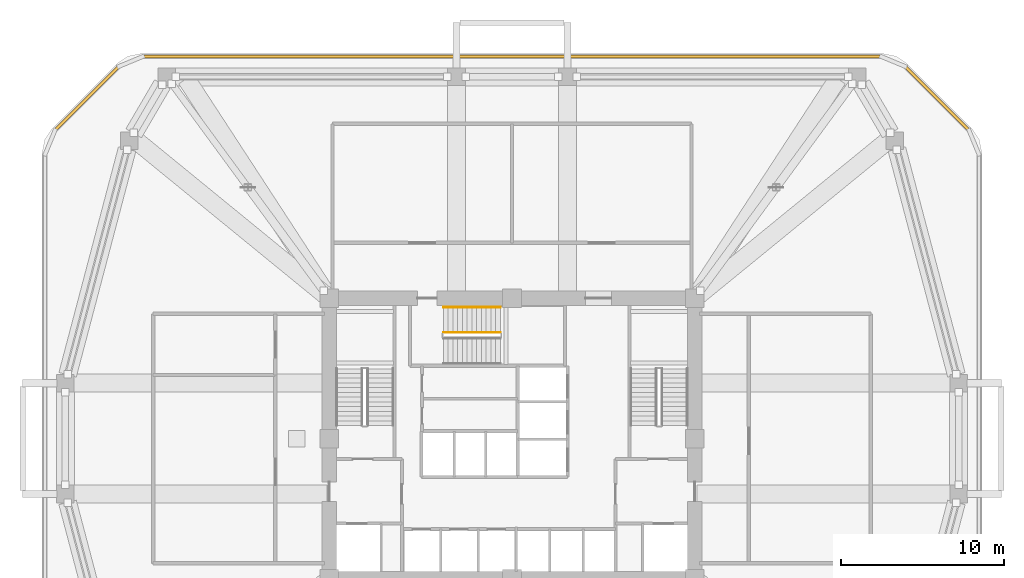
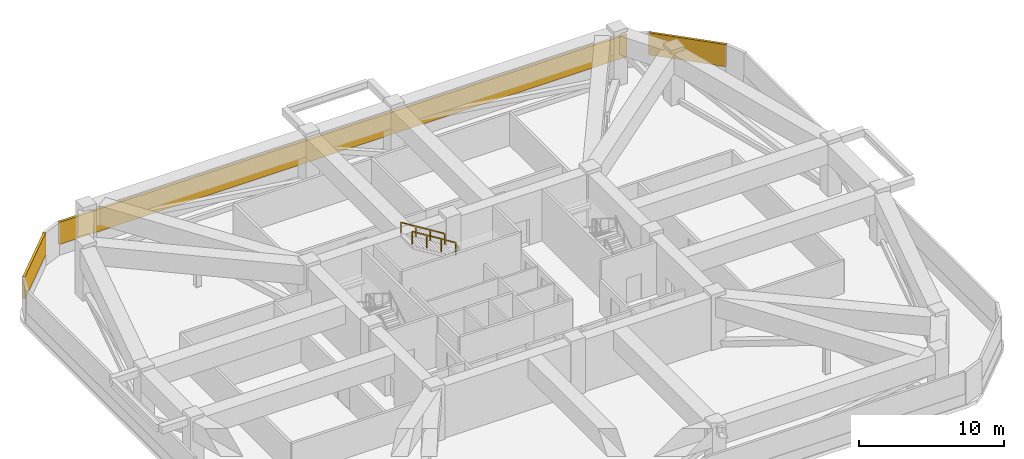
# One storey, part 10 of 10: 3 shading devices, 2 railings.
"""IFC4 building model written with IfcOpenShell, lengths in metres."""

import ifcopenshell
import ifcopenshell.guid

model = None  # the IFC model being written
_history = None  # IfcOwnerHistory: only IFC2X3 demands one
_inside = {}  # id of a spatial element -> (the spatial element, [elements in it])
_under = {}  # id of a project, library or spatial element -> (it, [spatial elements below it])
_declared = {}  # id of a project -> (the project, [libraries it declares])
_typed = {}  # id of a type object -> (the type object, [elements of that type])
_made_of = {}  # id of a material, layer set ... -> (it, [elements and type objects made of it])


def new_model(schema):
    """Start an empty IFC model of exactly this schema.

    Asked for "IFC4X3", IfcOpenShell would pick the latest addendum, in which some entities
    have other attributes; the version numbers below select the first issue.
    IFC2X3 requires an IfcOwnerHistory on every rooted entity: one is made here for all.
    """
    global model, _history
    if schema == "IFC4X3":
        model = ifcopenshell.file(schema_version=(4, 3, 0, 0))
    else:
        model = ifcopenshell.file(schema=schema)
    _inside.clear()
    _under.clear()
    _declared.clear()
    _typed.clear()
    _made_of.clear()
    _history = None
    if model.schema == "IFC2X3":
        org = make("IfcOrganization", Name="unknown")
        user = make(
            "IfcPersonAndOrganization",
            ThePerson=make("IfcPerson", FamilyName="unknown"),
            TheOrganization=org,
        )
        app = make(
            "IfcApplication",
            ApplicationDeveloper=org,
            Version="unknown",
            ApplicationFullName="unknown",
            ApplicationIdentifier="unknown",
        )
        _history = make(
            "IfcOwnerHistory",
            OwningUser=user,
            OwningApplication=app,
            ChangeAction="ADDED",
            CreationDate=0,
        )
    return model


def make(cls, **values):
    """One entity of the class cls with the attributes given. An attribute that is None is left unset."""
    return model.create_entity(
        cls, **{name: value for name, value in values.items() if value is not None}
    )


def rooted(cls, **values):
    """An entity with a GlobalId (a new one), such as an element, a storey or a relation."""
    return make(cls, GlobalId=ifcopenshell.guid.new(), OwnerHistory=_history, **values)


def si_unit(unit_type, name, prefix=None):
    """IfcSIUnit, for example si_unit("LENGTHUNIT", "METRE", prefix="MILLI")."""
    return make("IfcSIUnit", UnitType=unit_type, Prefix=prefix, Name=name)


def derived_unit(unit_type, elements):
    """IfcDerivedUnit: a product of units, each with its exponent."""
    return make(
        "IfcDerivedUnit",
        Elements=[
            make("IfcDerivedUnitElement", Unit=unit, Exponent=power)
            for unit, power in elements
        ],
        UnitType=unit_type,
    )


def assignment(units):
    """IfcUnitAssignment: the units of a project."""
    return None if units is None else make("IfcUnitAssignment", Units=units)


def point(xyz):
    """IfcCartesianPoint."""
    return None if xyz is None else make("IfcCartesianPoint", Coordinates=xyz)


def direction(xyz):
    """IfcDirection."""
    return None if xyz is None else make("IfcDirection", DirectionRatios=xyz)


def frame(location, z_axis=None, x_axis=None):
    """IfcAxis2Placement3D, a coordinate frame: its origin and axes. An axis left out is left unset."""
    return make(
        "IfcAxis2Placement3D",
        Location=point(location),
        Axis=direction(z_axis),
        RefDirection=direction(x_axis),
    )


def frame_2d(location, x_axis=None):
    """IfcAxis2Placement2D, a coordinate frame in the plane: its origin and x axis."""
    return make(
        "IfcAxis2Placement2D", Location=point(location), RefDirection=direction(x_axis)
    )


def origin():
    """The frame at (0, 0, 0) with its axes left unset."""
    return frame((0.0, 0.0, 0.0))


def origin_2d():
    """The frame at (0, 0) in the plane with its x axis left unset."""
    return frame_2d((0.0, 0.0))


def place(relative_to, where):
    """IfcLocalPlacement: puts the frame where relative to a parent placement (None: the world)."""
    return make(
        "IfcLocalPlacement", PlacementRelTo=relative_to, RelativePlacement=where
    )


def context(
    kind, dimensions, precision=None, world=None, true_north=None, identifier=None
):
    """IfcGeometricRepresentationContext, for example the 3D "Model" context."""
    return make(
        "IfcGeometricRepresentationContext",
        ContextIdentifier=identifier,
        ContextType=kind,
        CoordinateSpaceDimension=dimensions,
        Precision=precision,
        WorldCoordinateSystem=world,
        TrueNorth=true_north,
    )


def subcontext(parent, identifier, kind, view, scale=None):
    """IfcGeometricRepresentationSubContext, for example "Body" below "Model"."""
    return make(
        "IfcGeometricRepresentationSubContext",
        ContextIdentifier=identifier,
        ContextType=kind,
        ParentContext=parent,
        TargetScale=scale,
        TargetView=view,
    )


def project(units=None, contexts=None):
    """IfcProject with its units and contexts."""
    return rooted(
        "IfcProject",
        Name="project",
        RepresentationContexts=contexts,
        UnitsInContext=assignment(units),
    )


def spatial(cls, under=None, at=None, **own):
    """A site, building, storey or space (cls), placed at a placement, below another one or the project."""
    s = rooted(cls, ObjectPlacement=at, **own)
    if under is not None:
        _under.setdefault(under.id(), (under, []))[1].append(s)
    return s


def profile(cls, at=None, kind="AREA", **sizes):
    """A parametric profile (cls). Its sizes go by their IFC names, for example OverallWidth=200.0."""
    return make(cls, ProfileType=kind, Position=at, **sizes)


def rectangle(**sizes):
    """IfcRectangleProfileDef."""
    return profile("IfcRectangleProfileDef", **sizes)


def extrude(swept, where, along, depth):
    """IfcExtrudedAreaSolid: the profile swept, set in the frame where, extruded along a direction by depth."""
    return make(
        "IfcExtrudedAreaSolid",
        SweptArea=swept,
        Position=where,
        ExtrudedDirection=direction(along),
        Depth=depth,
    )


def shape(context_of_items, identifier, shape_type, items):
    """IfcShapeRepresentation: the items that make up one representation, for example the "Body"."""
    return make(
        "IfcShapeRepresentation",
        ContextOfItems=context_of_items,
        RepresentationIdentifier=identifier,
        RepresentationType=shape_type,
        Items=items,
    )


def material(Name=None, Category=None):
    """IfcMaterial."""
    return make("IfcMaterial", Name=Name, Category=Category)


def layer(
    of_material, thickness, ventilated=None, Name=None, Category=None, Priority=None
):
    """IfcMaterialLayer: one layer of a wall or slab, of a material (None: an air gap)."""
    return make(
        "IfcMaterialLayer",
        Material=of_material,
        LayerThickness=thickness,
        IsVentilated=ventilated,
        Name=Name,
        Category=Category,
        Priority=Priority,
    )


def layer_set(layers, Name=None):
    """IfcMaterialLayerSet."""
    return make("IfcMaterialLayerSet", MaterialLayers=layers, LayerSetName=Name)


def made_of(thing, what):
    """Note that an element or type object is made of a material, layer set ...; save() writes the relation."""
    if what is not None:
        _made_of.setdefault(what.id(), (what, []))[1].append(thing)
    return thing


def type_object(cls, material=None, **own):
    """A type object (cls), such as IfcWallType, which elements share."""
    return made_of(rooted(cls, **own), material)


def element(
    cls,
    number,
    at=None,
    inside=None,
    cuts=None,
    type_object=None,
    material=None,
    context=None,
    identifier="Body",
    shape_type=None,
    held_by="IfcProductDefinitionShape",
    body=None,
    shapes=None,
    **own,
):
    """One element of the class cls, such as IfcWall. Its Tag is "e" and its number.

    at: its placement. inside: the storey or other place that contains it. cuts: it is an
    opening in that element (IfcRelVoidsElement). A single representation is given by context,
    identifier, shape_type and body (its items); several are given by shapes. held_by: the class
    of the entity that holds the representations. save() writes the other relations.
    """
    e = rooted(cls, Tag="e%d" % number, ObjectPlacement=at, **own)
    if body is not None:
        shapes = [shape(context, identifier, shape_type, body)]
    if shapes is not None:
        e.Representation = make(held_by, Representations=shapes)
    if inside is not None:
        _inside.setdefault(inside.id(), (inside, []))[1].append(e)
    if cuts is not None:
        rooted(
            "IfcRelVoidsElement", RelatingBuildingElement=cuts, RelatedOpeningElement=e
        )
    if type_object is not None:
        _typed.setdefault(type_object.id(), (type_object, []))[1].append(e)
    return made_of(e, material)


def aggregate(whole, parts):
    """IfcRelAggregates: a whole, such as a stair, and the parts it consists of."""
    return rooted("IfcRelAggregates", RelatingObject=whole, RelatedObjects=parts)


def save(model, path):
    """Write the relations noted so far, then the file.

    IfcRelAggregates (storeys below a building ...), IfcRelContainedInSpatialStructure (elements
    in a storey), IfcRelDefinesByType, IfcRelAssociatesMaterial and IfcRelDeclares: one each for
    every whole, place, type object, material and project.
    """
    for whole, parts in _under.values():
        aggregate(whole, parts)
    for where, things in _inside.values():
        rooted(
            "IfcRelContainedInSpatialStructure",
            RelatedElements=things,
            RelatingStructure=where,
        )
    for kind, things in _typed.values():
        rooted("IfcRelDefinesByType", RelatedObjects=things, RelatingType=kind)
    for what, things in _made_of.values():
        rooted("IfcRelAssociatesMaterial", RelatedObjects=things, RelatingMaterial=what)
    for by, libraries in _declared.values():
        rooted("IfcRelDeclares", RelatingContext=by, RelatedDefinitions=libraries)
    model.write(path)


model = new_model("IFC4")

# Units and contexts
model_context = context("Model", 3, precision=1e-05, world=origin(), true_north=direction((0.0, 1.0)))
body_context = subcontext(model_context, "Body", "Model", "MODEL_VIEW")
ifc_project = project(units=[si_unit("LENGTHUNIT", "METRE"), si_unit("AREAUNIT", "SQUARE_METRE"), si_unit("VOLUMEUNIT", "CUBIC_METRE"), si_unit("PLANEANGLEUNIT", "RADIAN"), si_unit("MASSUNIT", "GRAM", prefix="KILO"), derived_unit("THERMALTRANSMITTANCEUNIT", [(si_unit("POWERUNIT", "WATT"), 1), (si_unit("LENGTHUNIT", "METRE"), -2), (si_unit("THERMODYNAMICTEMPERATUREUNIT", "KELVIN"), -1)])], contexts=[model_context])

# Site, building, storey
site_placement = place(None, origin())
site = spatial("IfcSite", under=ifc_project, at=site_placement, CompositionType="ELEMENT")
building_placement = place(site_placement, origin())
building = spatial("IfcBuilding", under=site, at=building_placement, Name="Koralith Skygarden Medical Center", CompositionType="ELEMENT")
storey_placement = place(building_placement, frame((0.0, 0.0, 70.739990234375)))
storey = spatial("IfcBuildingStorey", under=building, at=storey_placement, Name="L18", CompositionType="ELEMENT", Elevation=70.739990234375)

# Shading devices
ifc_material_1 = material(Name="Aluminium 6063-T6", Category="aluminium")
ifc_layer = layer(ifc_material_1, 0.179931640625)
ifc_layer_set = layer_set([ifc_layer], Name="Aluminium 6063-T6")
shading_device_type = type_object("IfcShadingDeviceType", Name="Mechanical Plant Acoustic Hurricane Louvre", PredefinedType="JALOUSIE", material=ifc_layer_set)
shading_device_1_placement = place(storey_placement, frame((63.05810546875, 46.758056640625, 0.89990234375), z_axis=(0.0, 0.0, 1.0), x_axis=(-0.707106781187, 0.707106781187, 0.0)))
element("IfcShadingDevice", 1, at=shading_device_1_placement, inside=storey, type_object=shading_device_type, Name="L18 Plant Acoustic Hurricane Louvre NE", PredefinedType="JALOUSIE", context=body_context, shape_type="SweptSolid", body=[
    extrude(rectangle(XDim=5.548095703125, YDim=0.179931640625, at=origin_2d()), origin(), (0.0, 0.0, 1.0), 1.8701171875),
])
shading_device_2_placement = place(storey_placement, frame((37.0, 49.320068359375, 0.89990234375), z_axis=(0.0, 0.0, 1.0), x_axis=(-1.0, 0.0, 0.0)))
element("IfcShadingDevice", 2, at=shading_device_2_placement, inside=storey, type_object=shading_device_type, Name="L18 Plant Acoustic Hurricane Louvre N", PredefinedType="JALOUSIE", context=body_context, shape_type="SweptSolid", body=[
    extrude(rectangle(XDim=45.2890625, YDim=0.179931640625, at=origin_2d()), origin(), (0.0, 0.0, 1.0), 1.8701171875),
])
shading_device_3_placement = place(storey_placement, frame((10.94189453125, 46.758056640625, 0.89990234375), z_axis=(0.0, 0.0, 1.0), x_axis=(-0.707106781187, -0.707106781187, 0.0)))
element("IfcShadingDevice", 3, at=shading_device_3_placement, inside=storey, type_object=shading_device_type, Name="L18 Plant Acoustic Hurricane Louvre NW", PredefinedType="JALOUSIE", context=body_context, shape_type="SweptSolid", body=[
    extrude(rectangle(XDim=5.548095703125, YDim=0.179931640625, at=origin_2d()), origin(), (0.0, 0.0, 1.0), 1.8701171875),
])

# Railings
ifc_material_2 = material(Name="Steel ASTM A500 Grade C", Category="steel")
railing_type_1 = type_object("IfcRailingType", Name="Stair Flight Tubular Handrail 920", PredefinedType="HANDRAIL", material=ifc_material_2)
railing_1_placement = place(storey_placement, frame((36.280029296875, 33.949951171875, 2.52001953125)))
element("IfcRailing", 4, at=railing_1_placement, inside=storey, type_object=railing_type_1, Name="L18 ST3 stair handrail 2", PredefinedType="HANDRAIL", context=body_context, shape_type="SweptSolid", body=[
    extrude(rectangle(XDim=0.050048828125, YDim=0.050048828125, at=origin_2d()), frame((-0.001708984375, 0.0, 0.89599609375), z_axis=(-0.849648454892, 0.0, 0.527349507537), x_axis=(0.0, -1.0, 0.0)), (0.0, 0.0, 1.0), 4.091796875),
    extrude(rectangle(XDim=0.0419921875, YDim=0.0419921875, at=origin_2d()), origin(), (0.0, 0.0, 1.0), 0.867919921875),
    extrude(rectangle(XDim=0.0419921875, YDim=0.0419921875, at=origin_2d()), frame((-1.159912109375, 0.0, 0.719970703125)), (0.0, 0.0, 1.0), 0.867919921875),
    extrude(rectangle(XDim=0.0419921875, YDim=0.0419921875, at=origin_2d()), frame((-2.320068359375, 0.0, 1.43994140625)), (0.0, 0.0, 1.0), 0.867919921875),
    extrude(rectangle(XDim=0.0419921875, YDim=0.0419921875, at=origin_2d()), frame((-3.47998046875, 0.0, 2.159912109375)), (0.0, 0.0, 1.0), 0.867919921875),
])
railing_type_2 = type_object("IfcRailingType", Name="Stair Well Safety Guardrail 1100", PredefinedType="GUARDRAIL", material=ifc_material_2)
railing_2_placement = place(storey_placement, frame((36.280029296875, 32.39990234375, 2.52001953125)))
element("IfcRailing", 5, at=railing_2_placement, inside=storey, type_object=railing_type_2, Name="L18 ST3 stair guard 3", PredefinedType="GUARDRAIL", context=body_context, shape_type="SweptSolid", body=[
    extrude(rectangle(XDim=0.050048828125, YDim=0.050048828125, at=origin_2d()), frame((-0.001708984375, 0.0, 1.076171875), z_axis=(-0.849648454892, 0.0, 0.527349507537), x_axis=(0.0, -1.0, 0.0)), (0.0, 0.0, 1.0), 4.091796875),
    extrude(rectangle(XDim=0.0419921875, YDim=0.0419921875, at=origin_2d()), origin(), (0.0, 0.0, 1.0), 1.048095703125),
    extrude(rectangle(XDim=0.0419921875, YDim=0.0419921875, at=origin_2d()), frame((-1.159912109375, 0.0, 0.719970703125)), (0.0, 0.0, 1.0), 1.048095703125),
    extrude(rectangle(XDim=0.0419921875, YDim=0.0419921875, at=origin_2d()), frame((-2.320068359375, 0.0, 1.43994140625)), (0.0, 0.0, 1.0), 1.048095703125),
    extrude(rectangle(XDim=0.0419921875, YDim=0.0419921875, at=origin_2d()), frame((-3.47998046875, 0.0, 2.159912109375)), (0.0, 0.0, 1.0), 1.048095703125),
])

save(model, "model.ifc")
